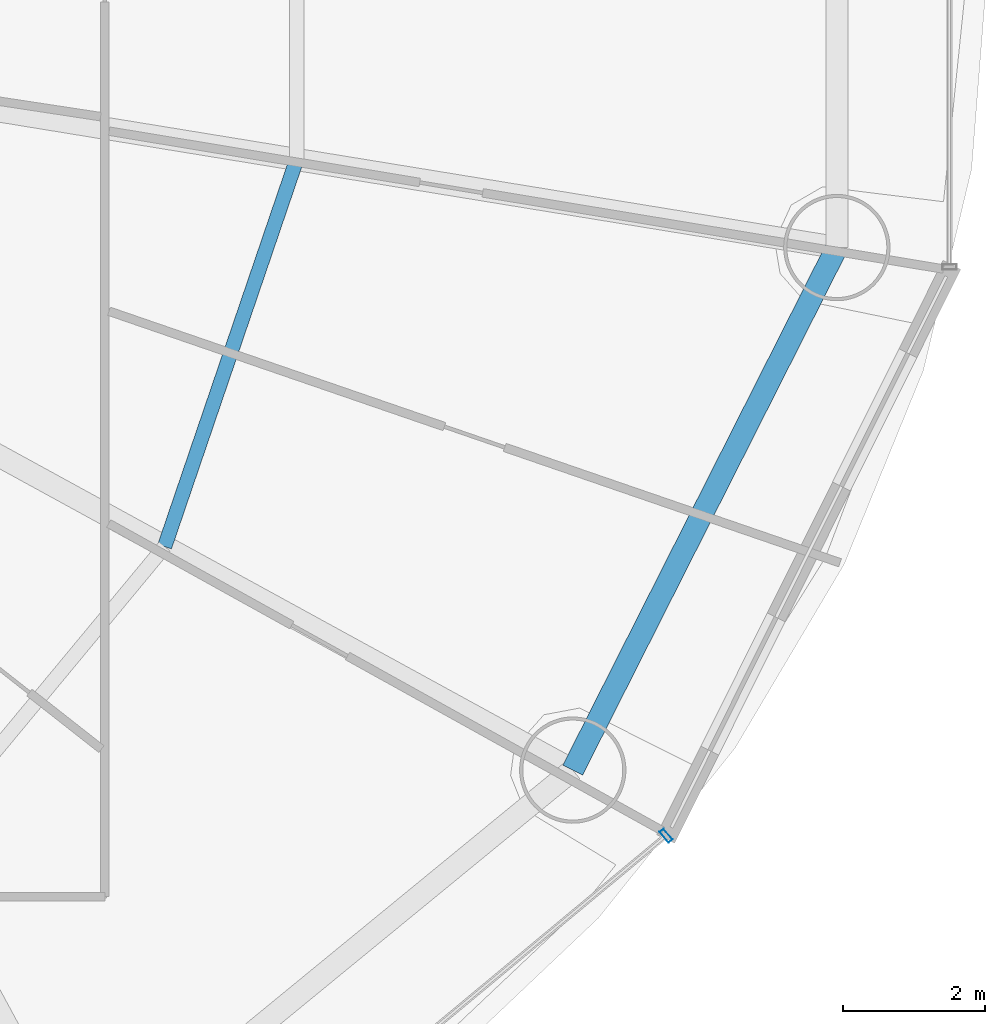
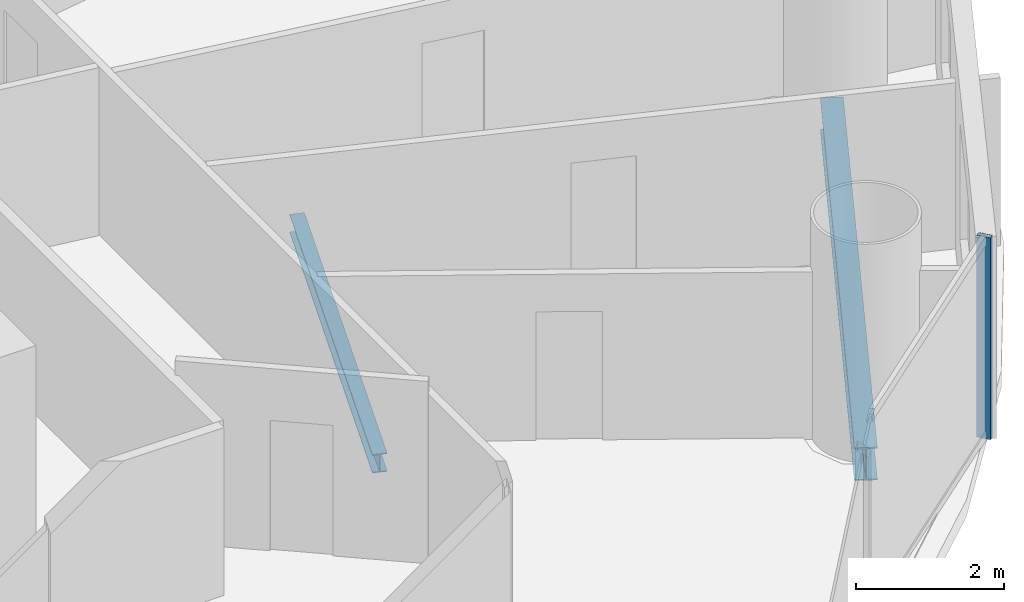
# One storey, part 12 of 28: 2 beams, 1 member, 1 element without a shape of its own.
"""IFC4 building model written with IfcOpenShell, lengths in metres."""

import ifcopenshell
import ifcopenshell.guid

model = None  # the IFC model being written
_history = None  # IfcOwnerHistory: only IFC2X3 demands one
_inside = {}  # id of a spatial element -> (the spatial element, [elements in it])
_under = {}  # id of a project, library or spatial element -> (it, [spatial elements below it])
_declared = {}  # id of a project -> (the project, [libraries it declares])
_typed = {}  # id of a type object -> (the type object, [elements of that type])
_made_of = {}  # id of a material, layer set ... -> (it, [elements and type objects made of it])


def new_model(schema):
    """Start an empty IFC model of exactly this schema.

    Asked for "IFC4X3", IfcOpenShell would pick the latest addendum, in which some entities
    have other attributes; the version numbers below select the first issue.
    IFC2X3 requires an IfcOwnerHistory on every rooted entity: one is made here for all.
    """
    global model, _history
    if schema == "IFC4X3":
        model = ifcopenshell.file(schema_version=(4, 3, 0, 0))
    else:
        model = ifcopenshell.file(schema=schema)
    _inside.clear()
    _under.clear()
    _declared.clear()
    _typed.clear()
    _made_of.clear()
    _history = None
    if model.schema == "IFC2X3":
        org = make("IfcOrganization", Name="unknown")
        user = make(
            "IfcPersonAndOrganization",
            ThePerson=make("IfcPerson", FamilyName="unknown"),
            TheOrganization=org,
        )
        app = make(
            "IfcApplication",
            ApplicationDeveloper=org,
            Version="unknown",
            ApplicationFullName="unknown",
            ApplicationIdentifier="unknown",
        )
        _history = make(
            "IfcOwnerHistory",
            OwningUser=user,
            OwningApplication=app,
            ChangeAction="ADDED",
            CreationDate=0,
        )
    return model


def make(cls, **values):
    """One entity of the class cls with the attributes given. An attribute that is None is left unset."""
    return model.create_entity(
        cls, **{name: value for name, value in values.items() if value is not None}
    )


def rooted(cls, **values):
    """An entity with a GlobalId (a new one), such as an element, a storey or a relation."""
    return make(cls, GlobalId=ifcopenshell.guid.new(), OwnerHistory=_history, **values)


def si_unit(unit_type, name, prefix=None):
    """IfcSIUnit, for example si_unit("LENGTHUNIT", "METRE", prefix="MILLI")."""
    return make("IfcSIUnit", UnitType=unit_type, Prefix=prefix, Name=name)


def assignment(units):
    """IfcUnitAssignment: the units of a project."""
    return None if units is None else make("IfcUnitAssignment", Units=units)


def point(xyz):
    """IfcCartesianPoint."""
    return None if xyz is None else make("IfcCartesianPoint", Coordinates=xyz)


def direction(xyz):
    """IfcDirection."""
    return None if xyz is None else make("IfcDirection", DirectionRatios=xyz)


def frame(location, z_axis=None, x_axis=None):
    """IfcAxis2Placement3D, a coordinate frame: its origin and axes. An axis left out is left unset."""
    return make(
        "IfcAxis2Placement3D",
        Location=point(location),
        Axis=direction(z_axis),
        RefDirection=direction(x_axis),
    )


def frame_2d(location, x_axis=None):
    """IfcAxis2Placement2D, a coordinate frame in the plane: its origin and x axis."""
    return make(
        "IfcAxis2Placement2D", Location=point(location), RefDirection=direction(x_axis)
    )


def origin():
    """The frame at (0, 0, 0) with its axes left unset."""
    return frame((0.0, 0.0, 0.0))


def origin_2d():
    """The frame at (0, 0) in the plane with its x axis left unset."""
    return frame_2d((0.0, 0.0))


def place(relative_to, where):
    """IfcLocalPlacement: puts the frame where relative to a parent placement (None: the world)."""
    return make(
        "IfcLocalPlacement", PlacementRelTo=relative_to, RelativePlacement=where
    )


def context(
    kind, dimensions, precision=None, world=None, true_north=None, identifier=None
):
    """IfcGeometricRepresentationContext, for example the 3D "Model" context."""
    return make(
        "IfcGeometricRepresentationContext",
        ContextIdentifier=identifier,
        ContextType=kind,
        CoordinateSpaceDimension=dimensions,
        Precision=precision,
        WorldCoordinateSystem=world,
        TrueNorth=true_north,
    )


def subcontext(parent, identifier, kind, view, scale=None):
    """IfcGeometricRepresentationSubContext, for example "Body" below "Model"."""
    return make(
        "IfcGeometricRepresentationSubContext",
        ContextIdentifier=identifier,
        ContextType=kind,
        ParentContext=parent,
        TargetScale=scale,
        TargetView=view,
    )


def project(units=None, contexts=None):
    """IfcProject with its units and contexts."""
    return rooted(
        "IfcProject",
        Name="project",
        RepresentationContexts=contexts,
        UnitsInContext=assignment(units),
    )


def spatial(cls, under=None, at=None, **own):
    """A site, building, storey or space (cls), placed at a placement, below another one or the project."""
    s = rooted(cls, ObjectPlacement=at, **own)
    if under is not None:
        _under.setdefault(under.id(), (under, []))[1].append(s)
    return s


def profile(cls, at=None, kind="AREA", **sizes):
    """A parametric profile (cls). Its sizes go by their IFC names, for example OverallWidth=200.0."""
    return make(cls, ProfileType=kind, Position=at, **sizes)


def hollow_rectangle(**sizes):
    """IfcRectangleHollowProfileDef."""
    return profile("IfcRectangleHollowProfileDef", **sizes)


def i_section(**sizes):
    """IfcIShapeProfileDef."""
    return profile("IfcIShapeProfileDef", **sizes)


def extrude(swept, where, along, depth):
    """IfcExtrudedAreaSolid: the profile swept, set in the frame where, extruded along a direction by depth."""
    return make(
        "IfcExtrudedAreaSolid",
        SweptArea=swept,
        Position=where,
        ExtrudedDirection=direction(along),
        Depth=depth,
    )


def shape(context_of_items, identifier, shape_type, items):
    """IfcShapeRepresentation: the items that make up one representation, for example the "Body"."""
    return make(
        "IfcShapeRepresentation",
        ContextOfItems=context_of_items,
        RepresentationIdentifier=identifier,
        RepresentationType=shape_type,
        Items=items,
    )


def source(mapping_origin, context_of_items, identifier, shape_type, items):
    """IfcRepresentationMap: a shape defined once, which mapped items show again and again."""
    return make(
        "IfcRepresentationMap",
        MappingOrigin=mapping_origin,
        MappedRepresentation=shape(context_of_items, identifier, shape_type, items),
    )


def transform(
    local_origin,
    x_axis=None,
    y_axis=None,
    z_axis=None,
    scale=None,
    scale2=None,
    scale3=None,
    uniform=True,
):
    """IfcCartesianTransformationOperator3D, or its non-uniform kind. x_axis, y_axis, z_axis: its Axis1, 2, 3."""
    if uniform:
        return make(
            "IfcCartesianTransformationOperator3D",
            Axis1=direction(x_axis),
            Axis2=direction(y_axis),
            LocalOrigin=point(local_origin),
            Scale=scale,
            Axis3=direction(z_axis),
        )
    return make(
        "IfcCartesianTransformationOperator3DnonUniform",
        Axis1=direction(x_axis),
        Axis2=direction(y_axis),
        LocalOrigin=point(local_origin),
        Scale=scale,
        Axis3=direction(z_axis),
        Scale2=scale2,
        Scale3=scale3,
    )


def mapped(mapping_source, mapping_target):
    """IfcMappedItem: shows the shape of a source again, moved by a transform."""
    return make(
        "IfcMappedItem", MappingSource=mapping_source, MappingTarget=mapping_target
    )


def material(Name=None, Category=None):
    """IfcMaterial."""
    return make("IfcMaterial", Name=Name, Category=Category)


def material_profile(
    of_material, cross_section, Name=None, Category=None, Priority=None
):
    """IfcMaterialProfile: a cross section and its material."""
    return make(
        "IfcMaterialProfile",
        Name=Name,
        Material=of_material,
        Profile=cross_section,
        Priority=Priority,
        Category=Category,
    )


def profile_set(profiles, Name=None, composite=None):
    """IfcMaterialProfileSet."""
    return make(
        "IfcMaterialProfileSet",
        Name=Name,
        MaterialProfiles=profiles,
        CompositeProfile=composite,
    )


def made_of(thing, what):
    """Note that an element or type object is made of a material, layer set ...; save() writes the relation."""
    if what is not None:
        _made_of.setdefault(what.id(), (what, []))[1].append(thing)
    return thing


def type_object(cls, material=None, **own):
    """A type object (cls), such as IfcWallType, which elements share."""
    return made_of(rooted(cls, **own), material)


def element(
    cls,
    number,
    at=None,
    inside=None,
    cuts=None,
    type_object=None,
    material=None,
    context=None,
    identifier="Body",
    shape_type=None,
    held_by="IfcProductDefinitionShape",
    body=None,
    shapes=None,
    **own,
):
    """One element of the class cls, such as IfcWall. Its Tag is "e" and its number.

    at: its placement. inside: the storey or other place that contains it. cuts: it is an
    opening in that element (IfcRelVoidsElement). A single representation is given by context,
    identifier, shape_type and body (its items); several are given by shapes. held_by: the class
    of the entity that holds the representations. save() writes the other relations.
    """
    e = rooted(cls, Tag="e%d" % number, ObjectPlacement=at, **own)
    if body is not None:
        shapes = [shape(context, identifier, shape_type, body)]
    if shapes is not None:
        e.Representation = make(held_by, Representations=shapes)
    if inside is not None:
        _inside.setdefault(inside.id(), (inside, []))[1].append(e)
    if cuts is not None:
        rooted(
            "IfcRelVoidsElement", RelatingBuildingElement=cuts, RelatedOpeningElement=e
        )
    if type_object is not None:
        _typed.setdefault(type_object.id(), (type_object, []))[1].append(e)
    return made_of(e, material)


def aggregate(whole, parts):
    """IfcRelAggregates: a whole, such as a stair, and the parts it consists of."""
    return rooted("IfcRelAggregates", RelatingObject=whole, RelatedObjects=parts)


def save(model, path):
    """Write the relations noted so far, then the file.

    IfcRelAggregates (storeys below a building ...), IfcRelContainedInSpatialStructure (elements
    in a storey), IfcRelDefinesByType, IfcRelAssociatesMaterial and IfcRelDeclares: one each for
    every whole, place, type object, material and project.
    """
    for whole, parts in _under.values():
        aggregate(whole, parts)
    for where, things in _inside.values():
        rooted(
            "IfcRelContainedInSpatialStructure",
            RelatedElements=things,
            RelatingStructure=where,
        )
    for kind, things in _typed.values():
        rooted("IfcRelDefinesByType", RelatedObjects=things, RelatingType=kind)
    for what, things in _made_of.values():
        rooted("IfcRelAssociatesMaterial", RelatedObjects=things, RelatingMaterial=what)
    for by, libraries in _declared.values():
        rooted("IfcRelDeclares", RelatingContext=by, RelatedDefinitions=libraries)
    model.write(path)


model = new_model("IFC4")

# Units and contexts
model_context = context("Model", 3, precision=1e-05, world=origin(), true_north=direction((-0.2419218956, 0.970295726276)))
body_context = subcontext(model_context, "Body", "Model", "MODEL_VIEW")
ifc_project = project(units=[si_unit("LENGTHUNIT", "METRE"), si_unit("AREAUNIT", "SQUARE_METRE"), si_unit("VOLUMEUNIT", "CUBIC_METRE"), si_unit("PLANEANGLEUNIT", "RADIAN"), si_unit("MASSUNIT", "GRAM", prefix="KILO")], contexts=[model_context])

# Site, building, storey
site_placement = place(None, origin())
site = spatial("IfcSite", under=ifc_project, at=site_placement, CompositionType="ELEMENT")
building_placement = place(site_placement, origin())
building = spatial("IfcBuilding", under=site, at=building_placement, Name="Cobrevalo Terracotta Tower", CompositionType="ELEMENT")
storey_placement = place(building_placement, frame((0.0, 0.0, 105.0)))
storey = spatial("IfcBuildingStorey", under=building, at=storey_placement, Name="L27", CompositionType="ELEMENT", Elevation=105.0)

# Beams
ifc_material_1 = material(Name="Steel S355", Category="steel")
ifc_material_profile_1 = material_profile(ifc_material_1, i_section(OverallWidth=0.2041015625, OverallDepth=0.305908203125, WebThickness=0.008544921875, FlangeThickness=0.0146484375, at=origin_2d()), Name="W 310x67")
ifc_profile_set_1 = profile_set([ifc_material_profile_1], Name="Steel S355")
beam_type_1 = type_object("IfcBeamType", Name="Structural Joist W 310x67 (Steel S355)", PredefinedType="JOIST", material=ifc_profile_set_1)
beam_1_placement = place(storey_placement, frame((52.987548828125, 18.591796875, -0.427978515625), z_axis=(0.322846227919, 0.946451431991, 0.0), x_axis=(-0.946451431991, 0.322846227919, 0.0)))
element("IfcBeam", 1, at=beam_1_placement, inside=storey, type_object=beam_type_1, Name="L27 circumferential secondary floor joist 15", PredefinedType="JOIST", context=body_context, shape_type="SweptSolid", body=[
    extrude(i_section(OverallWidth=0.2041015625, OverallDepth=0.305908203125, WebThickness=0.008544921875, FlangeThickness=0.0146484375, at=origin_2d()), origin(), (0.0, 0.0, 1.0), 5.77001953125),
])
ifc_material_profile_2 = material_profile(ifc_material_1, i_section(OverallWidth=0.31201171875, OverallDepth=0.54296875, WebThickness=0.0126953125, FlangeThickness=0.020263671875, at=origin_2d()), Name="W 530x150")
ifc_profile_set_2 = profile_set([ifc_material_profile_2], Name="Steel S355")
beam_type_2 = type_object("IfcBeamType", Name="Structural Spandrel W 530x150 (Steel S355)", PredefinedType="SPANDREL", material=ifc_profile_set_2)
beam_2_placement = place(storey_placement, frame((58.7451171875, 15.4384765625, -0.54638671875), z_axis=(0.451051982172, 0.892497680321, 0.0), x_axis=(-0.892497680321, 0.451051982172, 0.0)))
element("IfcBeam", 2, at=beam_2_placement, inside=storey, type_object=beam_type_2, Name="L27 perimeter ring spandrel 15", PredefinedType="SPANDREL", context=body_context, shape_type="SweptSolid", body=[
    extrude(i_section(OverallWidth=0.31201171875, OverallDepth=0.54296875, WebThickness=0.0126953125, FlangeThickness=0.020263671875, at=origin_2d()), origin(), (0.0, 0.0, 1.0), 8.259765625),
])

# Curtain wall, member
ifc_material_2 = material(Name="Anodized aluminium", Category="aluminium")
curtain_wall_type = type_object("IfcCurtainWallType", Name="Lower-tower unitised acoustic low-E curtain wall CW-U1", PredefinedType="NOTDEFINED", material=ifc_material_2)
curtain_wall_placement = place(storey_placement, origin())
curtain_wall = element("IfcCurtainWall", 3, at=curtain_wall_placement, inside=storey, type_object=curtain_wall_type, Name="L27 curtain wall CW-L27-S14", PredefinedType="NOTDEFINED")
ifc_material_profile_3 = material_profile(ifc_material_2, hollow_rectangle(XDim=0.074951171875, YDim=0.199951171875, WallThickness=0.0048828125, at=origin_2d()), Name="CWM 75x200")
ifc_profile_set_3 = profile_set([ifc_material_profile_3], Name="Anodized aluminium")
member_type = type_object("IfcMemberType", Name="Lower/mid tower unitised mullion 75x200", PredefinedType="MULLION", material=ifc_profile_set_3)
shared_shape = source(origin(), body_context, "Body", "SweptSolid", [
    extrude(hollow_rectangle(XDim=0.074951171875, YDim=0.199951171875, WallThickness=0.0048828125, at=origin_2d()), origin(), (0.0, 0.0, 1.0), 3.324951171875),
])
member_placement = place(storey_placement, frame((60.061279296875, 14.512939453125, 0.0), z_axis=(0.0, 0.0, 1.0), x_axis=(0.769243451658, 0.638955798222, 0.0)))
member = element("IfcMember", 4, at=member_placement, type_object=member_type, Name="CW-L27-S14 vertical mullion 03", PredefinedType="MULLION", context=body_context, shape_type="MappedRepresentation", body=[
    mapped(shared_shape, transform((0.0, 0.0, 0.0), scale=1.0)),
])
aggregate(curtain_wall, [member])

save(model, "model.ifc")
